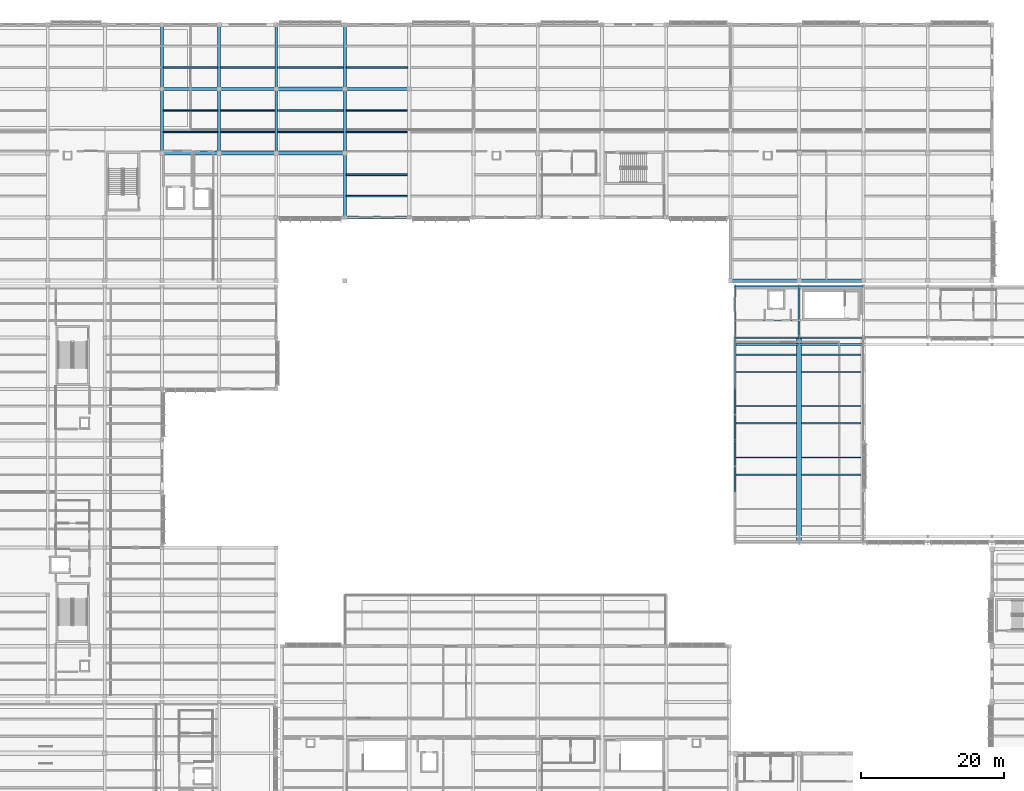
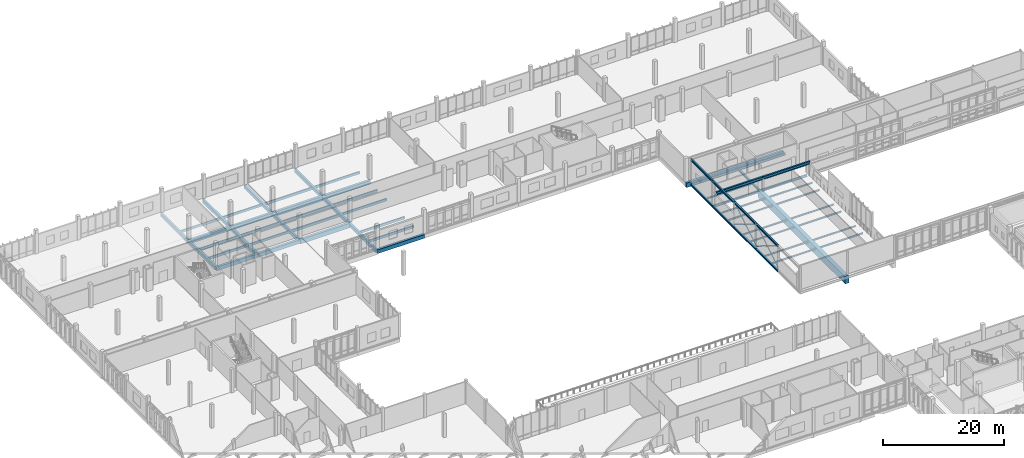
# One storey, part 80 of 177: 62 beams, 6 members.
"""IFC4 building model written with IfcOpenShell, lengths in metres."""

from ifc_helpers import new_model, si_unit, direction, frame, origin, origin_2d, place, context, subcontext, project, spatial, rectangle, hollow_circle, i_section, extrude, material, material_profile, profile_set, type_object, element, save


model = new_model("IFC4")

# Units and contexts
model_context = context("Model", 3, precision=1e-05, world=origin(), true_north=direction((0.0, 1.0)))
body_context = subcontext(model_context, "Body", "Model", "MODEL_VIEW")
ifc_project = project(units=[si_unit("LENGTHUNIT", "METRE"), si_unit("AREAUNIT", "SQUARE_METRE"), si_unit("VOLUMEUNIT", "CUBIC_METRE"), si_unit("PLANEANGLEUNIT", "RADIAN"), si_unit("MASSUNIT", "GRAM", prefix="KILO")], contexts=[model_context])

# Site, building, storey
site_placement = place(None, origin())
site = spatial("IfcSite", under=ifc_project, at=site_placement, CompositionType="ELEMENT")
building_placement = place(site_placement, origin())
building = spatial("IfcBuilding", under=site, at=building_placement, Name="Chiffa Square Polytechnic", CompositionType="ELEMENT")
storey_placement = place(building_placement, frame((0.0, 0.0, 4.800048828125)))
storey = spatial("IfcBuildingStorey", under=building, at=storey_placement, Name="L01", CompositionType="ELEMENT", Elevation=4.800048828125)

# Beams
ifc_material_1 = material(Name="Concrete C35/45", Category="concrete")
ifc_material_profile_1 = material_profile(ifc_material_1, rectangle(XDim=0.39990234375, YDim=0.64990234375, at=origin_2d()), Name="RC 400x650")
ifc_profile_set_1 = profile_set([ifc_material_profile_1], Name="Concrete C35/45")
beam_type_1 = type_object("IfcBeamType", Name="BM-RC-400X650", PredefinedType="BEAM", material=ifc_profile_set_1)
for number, where, z_axis, x_axis, name in (
    (1, (32.0, 112.800048828125, -0.60498046875), (0.0, 1.0, 0.0), (-1.0, 0.0, 0.0), "Primary floor girder BM-V5-L01-Y-0320-1128"),
    (2, (32.0, 121.800048828125, -0.60498046875), (0.0, 1.0, 0.0), (-1.0, 0.0, 0.0), "Primary floor girder BM-V5-L01-Y-0320-1218"),
    (3, (40.0, 112.800048828125, -0.60498046875), (0.0, 1.0, 0.0), (-1.0, 0.0, 0.0), "Primary floor girder BM-V5-L01-Y-0400-1128"),
    (4, (40.0, 121.800048828125, -0.60498046875), (0.0, 1.0, 0.0), (-1.0, 0.0, 0.0), "Primary floor girder BM-V5-L01-Y-0400-1218"),
    (5, (48.0, 112.800048828125, -0.60498046875), (0.0, 1.0, 0.0), (-1.0, 0.0, 0.0), "Primary floor girder BM-V5-L01-Y-0480-1128"),
    (6, (48.0, 121.800048828125, -0.60498046875), (0.0, 1.0, 0.0), (-1.0, 0.0, 0.0), "Primary floor girder BM-V5-L01-Y-0480-1218"),
    (7, (57.60009765625, 103.800048828125, -0.60498046875), (0.0, 1.0, 0.0), (-1.0, 0.0, 0.0), "Primary floor girder BM-V5-L01-Y-0576-1038"),
    (8, (57.60009765625, 112.800048828125, -0.60498046875), (0.0, 1.0, 0.0), (-1.0, 0.0, 0.0), "Primary floor girder BM-V5-L01-Y-0576-1128"),
    (9, (57.60009765625, 121.800048828125, -0.60498046875), (0.0, 1.0, 0.0), (-1.0, 0.0, 0.0), "Primary floor girder BM-V5-L01-Y-0576-1218"),
):
    element("IfcBeam", number, at=place(storey_placement, frame(where, z_axis=z_axis, x_axis=x_axis)), inside=storey, type_object=beam_type_1, Name=name, PredefinedType="BEAM", context=body_context, shape_type="SweptSolid", body=[
        extrude(rectangle(XDim=0.39990234375, YDim=0.64990234375, at=origin_2d()), origin(), (0.0, 0.0, 1.0), 9.0),
    ])
ifc_material_profile_2 = material_profile(ifc_material_1, rectangle(XDim=0.449951171875, YDim=0.75, at=origin_2d()), Name="RC 450x750")
ifc_profile_set_2 = profile_set([ifc_material_profile_2], Name="Concrete C35/45")
beam_type_2 = type_object("IfcBeamType", Name="BM-RC-450X750", PredefinedType="BEAM", material=ifc_profile_set_2)
for number, where, z_axis, x_axis, name in (
    (10, (121.199951171875, 94.949951171875, -0.655029296875), (1.0, 0.0, 0.0), (0.0, 1.0, 0.0), "Primary floor girder BM-V5-L01-X-1212-0950"),
    (11, (57.60009765625, 103.800048828125, -0.655029296875), (1.0, 0.0, 0.0), (0.0, 1.0, 0.0), "Primary floor girder BM-V5-L01-X-0576-1038"),
):
    element("IfcBeam", number, at=place(storey_placement, frame(where, z_axis=z_axis, x_axis=x_axis)), inside=storey, type_object=beam_type_2, Name=name, PredefinedType="BEAM", context=body_context, shape_type="SweptSolid", body=[
        extrude(rectangle(XDim=0.449951171875, YDim=0.75, at=origin_2d()), origin(), (0.0, 0.0, 1.0), 9.0),
    ])
for number, where, z_axis, x_axis, name in (
    (12, (32.0, 112.800048828125, -0.655029296875), (1.0, 0.0, 0.0), (0.0, 1.0, 0.0), "Primary floor girder BM-V5-L01-X-0320-1128"),
    (13, (40.0, 112.800048828125, -0.655029296875), (1.0, 0.0, 0.0), (0.0, 1.0, 0.0), "Primary floor girder BM-V5-L01-X-0400-1128"),
    (14, (32.0, 121.800048828125, -0.655029296875), (1.0, 0.0, 0.0), (0.0, 1.0, 0.0), "Primary floor girder BM-V5-L01-X-0320-1218"),
    (15, (40.0, 121.800048828125, -0.655029296875), (1.0, 0.0, 0.0), (0.0, 1.0, 0.0), "Primary floor girder BM-V5-L01-X-0400-1218"),
):
    element("IfcBeam", number, at=place(storey_placement, frame(where, z_axis=z_axis, x_axis=x_axis)), inside=storey, type_object=beam_type_2, Name=name, PredefinedType="BEAM", context=body_context, shape_type="SweptSolid", body=[
        extrude(rectangle(XDim=0.449951171875, YDim=0.75, at=origin_2d()), origin(), (0.0, 0.0, 1.0), 8.0),
    ])
beam_1_placement = place(storey_placement, frame((57.60009765625, 121.800048828125, -0.655029296875), z_axis=(1.0, 0.0, 0.0), x_axis=(0.0, 1.0, 0.0)))
element("IfcBeam", 16, at=beam_1_placement, inside=storey, type_object=beam_type_2, Name="Primary floor girder BM-V5-L01-X-0576-1218", PredefinedType="BEAM", context=body_context, shape_type="SweptSolid", body=[
    extrude(rectangle(XDim=0.449951171875, YDim=0.75, at=origin_2d()), origin(), (0.0, 0.0, 1.0), 9.0),
])
ifc_material_2 = material(Name="Concrete C40/50", Category="concrete")
ifc_material_profile_3 = material_profile(ifc_material_2, rectangle(XDim=0.5, YDim=0.89990234375, at=origin_2d()), Name="RC 500x900")
ifc_profile_set_3 = profile_set([ifc_material_profile_3], Name="Concrete C40/50")
beam_type_3 = type_object("IfcBeamType", Name="BM-RC-500X900", PredefinedType="BEAM", material=ifc_profile_set_3)
beam_2_placement = place(storey_placement, frame((111.60009765625, 94.949951171875, -0.72998046875), z_axis=(1.0, 0.0, 0.0), x_axis=(0.0, 1.0, 0.0)))
element("IfcBeam", 17, at=beam_2_placement, inside=storey, type_object=beam_type_3, Name="Primary floor girder BM-V5-L01-X-1116-0950", PredefinedType="BEAM", context=body_context, shape_type="SweptSolid", body=[
    extrude(rectangle(XDim=0.5, YDim=0.89990234375, at=origin_2d()), origin(), (0.0, 0.0, 1.0), 9.599853515625),
])
for number, where, z_axis, x_axis, name in (
    (18, (48.0, 112.800048828125, -0.72998046875), (1.0, 0.0, 0.0), (0.0, 1.0, 0.0), "Primary floor girder BM-V5-L01-X-0480-1128"),
    (19, (48.0, 121.800048828125, -0.72998046875), (1.0, 0.0, 0.0), (0.0, 1.0, 0.0), "Primary floor girder BM-V5-L01-X-0480-1218"),
):
    element("IfcBeam", number, at=place(storey_placement, frame(where, z_axis=z_axis, x_axis=x_axis)), inside=storey, type_object=beam_type_3, Name=name, PredefinedType="BEAM", context=body_context, shape_type="SweptSolid", body=[
        extrude(rectangle(XDim=0.5, YDim=0.89990234375, at=origin_2d()), origin(), (0.0, 0.0, 1.0), 9.60009765625),
    ])
ifc_material_profile_4 = material_profile(ifc_material_2, rectangle(XDim=0.699951171875, YDim=1.5, at=origin_2d()), Name="RC 700x1500")
ifc_profile_set_4 = profile_set([ifc_material_profile_4], Name="Concrete C40/50")
beam_type_4 = type_object("IfcBeamType", Name="BM-RC-700X1500", PredefinedType="BEAM", material=ifc_profile_set_4)
beam_3_placement = place(storey_placement, frame((121.199951171875, 58.199951171875, -1.030029296875), z_axis=(0.0, 1.0, 0.0), x_axis=(-1.0, 0.0, 0.0)))
element("IfcBeam", 20, at=beam_3_placement, inside=storey, type_object=beam_type_4, Name="Primary floor girder BM-V2-L01-Y-1212-0582", PredefinedType="BEAM", context=body_context, shape_type="SweptSolid", body=[
    extrude(rectangle(XDim=0.699951171875, YDim=1.5, at=origin_2d()), origin(), (0.0, 0.0, 1.0), 28.800048828125),
])
ifc_material_3 = material(Name="Steel S355", Category="steel")
ifc_material_profile_5 = material_profile(ifc_material_3, i_section(OverallWidth=0.300048828125, OverallDepth=0.389892578125, WebThickness=0.010986328125, FlangeThickness=0.01904296875, FilletRadius=0.027099609375, at=origin_2d()), Name="HEA 400")
ifc_profile_set_5 = profile_set([ifc_material_profile_5], Name="Steel S355")
beam_type_5 = type_object("IfcBeamType", Name="BM-STL-HEA400", PredefinedType="BEAM", material=ifc_profile_set_5)
beam_4_placement = place(storey_placement, frame((112.199951171875, 65.39990234375, -0.47509765625), z_axis=(0.0, 1.0, 0.0), x_axis=(-1.0, 0.0, 0.0)))
element("IfcBeam", 21, at=beam_4_placement, inside=storey, type_object=beam_type_5, Name="Primary floor girder BM-V2-L01-Y-1122-0654", PredefinedType="BEAM", context=body_context, shape_type="SweptSolid", body=[
    extrude(i_section(OverallWidth=0.300048828125, OverallDepth=0.389892578125, WebThickness=0.010986328125, FlangeThickness=0.01904296875, FilletRadius=0.027099609375, at=origin_2d()), origin(), (0.0, 0.0, 1.0), 7.2001953125),
])
for number, where, z_axis, x_axis, name in (
    (22, (112.199951171875, 72.60009765625, -0.47509765625), (0.0, 1.0, 0.0), (-1.0, 0.0, 0.0), "Primary floor girder BM-V2-L01-Y-1122-0726"),
    (23, (112.199951171875, 79.800048828125, -0.47509765625), (0.0, 1.0, 0.0), (-1.0, 0.0, 0.0), "Primary floor girder BM-V2-L01-Y-1122-0798"),
    (24, (112.199951171875, 87.0, -0.47509765625), (0.0, 1.0, 0.0), (-1.0, 0.0, 0.0), "Primary floor girder BM-V2-L01-Y-1122-0870"),
    (25, (121.199951171875, 87.0, -0.47509765625), (0.0, 1.0, 0.0), (-1.0, 0.0, 0.0), "Primary floor girder BM-V2-L01-Y-1212-0870"),
):
    element("IfcBeam", number, at=place(storey_placement, frame(where, z_axis=z_axis, x_axis=x_axis)), inside=storey, type_object=beam_type_5, Name=name, PredefinedType="BEAM", context=body_context, shape_type="SweptSolid", body=[
        extrude(i_section(OverallWidth=0.300048828125, OverallDepth=0.389892578125, WebThickness=0.010986328125, FlangeThickness=0.01904296875, FilletRadius=0.027099609375, at=origin_2d()), origin(), (0.0, 0.0, 1.0), 7.199951171875),
    ])
beam_5_placement = place(storey_placement, frame((112.199951171875, 65.39990234375, 4.60498046875), z_axis=(0.0, 1.0, 0.0), x_axis=(-1.0, 0.0, 0.0)))
element("IfcBeam", 26, at=beam_5_placement, inside=storey, type_object=beam_type_5, Name="Workshop west gable tie girder BM-V2-GBLTIE-W2", PredefinedType="BEAM", context=body_context, shape_type="SweptSolid", body=[
    extrude(i_section(OverallWidth=0.300048828125, OverallDepth=0.389892578125, WebThickness=0.010986328125, FlangeThickness=0.01904296875, FilletRadius=0.027099609375, at=origin_2d()), origin(), (0.0, 0.0, 1.0), 7.2001953125),
])
for number, where, z_axis, x_axis, name in (
    (27, (112.199951171875, 72.60009765625, 4.60498046875), (0.0, 1.0, 0.0), (-1.0, 0.0, 0.0), "Workshop west gable tie girder BM-V2-GBLTIE-W3"),
    (28, (112.199951171875, 79.800048828125, 4.60498046875), (0.0, 1.0, 0.0), (-1.0, 0.0, 0.0), "Workshop west gable tie girder BM-V2-GBLTIE-W4"),
    (29, (112.199951171875, 87.0, 4.60498046875), (0.0, 1.0, 0.0), (-1.0, 0.0, 0.0), "Workshop west shed gable tie girder BM-V2-GBLTIE-W5"),
):
    element("IfcBeam", number, at=place(storey_placement, frame(where, z_axis=z_axis, x_axis=x_axis)), inside=storey, type_object=beam_type_5, Name=name, PredefinedType="BEAM", context=body_context, shape_type="SweptSolid", body=[
        extrude(i_section(OverallWidth=0.300048828125, OverallDepth=0.389892578125, WebThickness=0.010986328125, FlangeThickness=0.01904296875, FilletRadius=0.027099609375, at=origin_2d()), origin(), (0.0, 0.0, 1.0), 7.199951171875),
    ])
ifc_material_profile_6 = material_profile(ifc_material_3, i_section(OverallWidth=0.199951171875, OverallDepth=0.5, WebThickness=0.01025390625, FlangeThickness=0.01611328125, FilletRadius=0.02099609375, at=origin_2d()), Name="IPE 500")
ifc_profile_set_6 = profile_set([ifc_material_profile_6], Name="Steel S355")
beam_type_6 = type_object("IfcBeamType", Name="BM-STL-IPE500", PredefinedType="BEAM", material=ifc_profile_set_6)
for number, where, z_axis, x_axis, name in (
    (30, (112.199951171875, 87.0, -0.530029296875), (1.0, 0.0, 0.0), (0.0, 1.0, 0.0), "Primary floor girder BM-V2-L01-X-1122-0870"),
    (31, (121.199951171875, 87.0, -0.530029296875), (1.0, 0.0, 0.0), (0.0, 1.0, 0.0), "Primary floor girder BM-V2-L01-X-1212-0870"),
    (32, (112.199951171875, 94.199951171875, -0.530029296875), (1.0, 0.0, 0.0), (0.0, 1.0, 0.0), "Primary floor girder BM-V2-L01-X-1122-0942"),
    (33, (121.199951171875, 94.199951171875, -0.530029296875), (1.0, 0.0, 0.0), (0.0, 1.0, 0.0), "Primary floor girder BM-V2-L01-X-1212-0942"),
):
    element("IfcBeam", number, at=place(storey_placement, frame(where, z_axis=z_axis, x_axis=x_axis)), inside=storey, type_object=beam_type_6, Name=name, PredefinedType="BEAM", context=body_context, shape_type="SweptSolid", body=[
        extrude(i_section(OverallWidth=0.199951171875, OverallDepth=0.5, WebThickness=0.01025390625, FlangeThickness=0.01611328125, FilletRadius=0.02099609375, at=origin_2d()), origin(), (0.0, 0.0, 1.0), 9.0),
    ])
ifc_material_profile_7 = material_profile(ifc_material_3, i_section(OverallWidth=0.300048828125, OverallDepth=0.60009765625, WebThickness=0.015380859375, FlangeThickness=0.030029296875, FilletRadius=0.027099609375, at=origin_2d()), Name="HEB 600")
ifc_profile_set_7 = profile_set([ifc_material_profile_7], Name="Steel S355")
beam_type_7 = type_object("IfcBeamType", Name="CG-STL-HEB600", PredefinedType="USERDEFINED", material=ifc_profile_set_7)
for number, where, z_axis, x_axis, name in (
    (34, (112.199951171875, 86.050048828125, 2.699951171875), (1.0, 0.0, 0.0), (0.0, 1.0, 0.0), "Bridge crane runway girder CG-V2-L01-N01"),
    (35, (121.199951171875, 86.050048828125, 2.699951171875), (1.0, 0.0, 0.0), (0.0, 1.0, 0.0), "Bridge crane runway girder CG-V2-L01-N02"),
):
    element("IfcBeam", number, at=place(storey_placement, frame(where, z_axis=z_axis, x_axis=x_axis)), inside=storey, type_object=beam_type_7, Name=name, ObjectType="CRANE GIRDER", PredefinedType="USERDEFINED", context=body_context, shape_type="SweptSolid", body=[
        extrude(i_section(OverallWidth=0.300048828125, OverallDepth=0.60009765625, WebThickness=0.015380859375, FlangeThickness=0.030029296875, FilletRadius=0.027099609375, at=origin_2d()), origin(), (0.0, 0.0, 1.0), 9.0),
    ])
ifc_material_4 = material(Name="Glulam GL28h", Category="wood")
ifc_material_profile_8 = material_profile(ifc_material_4, rectangle(XDim=0.219970703125, YDim=0.47998046875, at=origin_2d()), Name="GL28h 220x480")
ifc_profile_set_8 = profile_set([ifc_material_profile_8], Name="Glulam GL28h")
beam_type_8 = type_object("IfcBeamType", Name="JST-GL-220X480", PredefinedType="JOIST", material=ifc_profile_set_8)
for number, where, z_axis, x_axis, name in (
    (36, (32.197998046875, 115.800048828125, -0.52001953125), (1.0, 0.0, 0.0), (0.0, 1.0, 0.0), "Secondary floor joist JST-V5-L01-0320-1158"),
    (37, (32.197998046875, 118.800048828125, -0.52001953125), (1.0, 0.0, 0.0), (0.0, 1.0, 0.0), "Secondary floor joist JST-V5-L01-0320-1188"),
    (38, (32.197998046875, 124.800048828125, -0.52001953125), (1.0, 0.0, 0.0), (0.0, 1.0, 0.0), "Secondary floor joist JST-V5-L01-0320-1248"),
    (39, (40.197998046875, 115.800048828125, -0.52001953125), (1.0, 0.0, 0.0), (0.0, 1.0, 0.0), "Secondary floor joist JST-V5-L01-0400-1158"),
    (40, (40.197998046875, 118.800048828125, -0.52001953125), (1.0, 0.0, 0.0), (0.0, 1.0, 0.0), "Secondary floor joist JST-V5-L01-0400-1188"),
    (41, (40.197998046875, 124.800048828125, -0.52001953125), (1.0, 0.0, 0.0), (0.0, 1.0, 0.0), "Secondary floor joist JST-V5-L01-0400-1248"),
):
    element("IfcBeam", number, at=place(storey_placement, frame(where, z_axis=z_axis, x_axis=x_axis)), inside=storey, type_object=beam_type_8, Name=name, PredefinedType="JOIST", context=body_context, shape_type="SweptSolid", body=[
        extrude(rectangle(XDim=0.219970703125, YDim=0.47998046875, at=origin_2d()), origin(), (0.0, 0.0, 1.0), 7.60400390625),
    ])
for number, where, z_axis, x_axis, name in (
    (42, (57.798095703125, 106.800048828125, -0.52001953125), (1.0, 0.0, 0.0), (0.0, 1.0, 0.0), "Secondary floor joist JST-V5-L01-0576-1068"),
    (43, (57.798095703125, 109.800048828125, -0.52001953125), (1.0, 0.0, 0.0), (0.0, 1.0, 0.0), "Secondary floor joist JST-V5-L01-0576-1098"),
    (44, (57.798095703125, 115.800048828125, -0.52001953125), (1.0, 0.0, 0.0), (0.0, 1.0, 0.0), "Secondary floor joist JST-V5-L01-0576-1158"),
    (45, (57.798095703125, 118.800048828125, -0.52001953125), (1.0, 0.0, 0.0), (0.0, 1.0, 0.0), "Secondary floor joist JST-V5-L01-0576-1188"),
):
    element("IfcBeam", number, at=place(storey_placement, frame(where, z_axis=z_axis, x_axis=x_axis)), inside=storey, type_object=beam_type_8, Name=name, PredefinedType="JOIST", context=body_context, shape_type="SweptSolid", body=[
        extrude(rectangle(XDim=0.219970703125, YDim=0.47998046875, at=origin_2d()), origin(), (0.0, 0.0, 1.0), 8.553955078125),
    ])
beam_6_placement = place(storey_placement, frame((57.798095703125, 124.800048828125, -0.52001953125), z_axis=(1.0, 0.0, 0.0), x_axis=(0.0, 1.0, 0.0)))
element("IfcBeam", 46, at=beam_6_placement, inside=storey, type_object=beam_type_8, Name="Secondary floor joist JST-V5-L01-0576-1248", PredefinedType="JOIST", context=body_context, shape_type="SweptSolid", body=[
    extrude(rectangle(XDim=0.219970703125, YDim=0.47998046875, at=origin_2d()), origin(), (0.0, 0.0, 1.0), 8.60400390625),
])
ifc_material_profile_9 = material_profile(ifc_material_4, rectangle(XDim=0.239990234375, YDim=0.52001953125, at=origin_2d()), Name="GL28h 240x520")
ifc_profile_set_9 = profile_set([ifc_material_profile_9], Name="Glulam GL28h")
beam_type_9 = type_object("IfcBeamType", Name="JST-GL-240X520", PredefinedType="JOIST", material=ifc_profile_set_9)
for number, where, z_axis, x_axis, name in (
    (47, (48.197998046875, 115.800048828125, -0.5400390625), (1.0, 0.0, 0.0), (0.0, 1.0, 0.0), "Secondary floor joist JST-V5-L01-0480-1158"),
    (48, (48.197998046875, 118.800048828125, -0.5400390625), (1.0, 0.0, 0.0), (0.0, 1.0, 0.0), "Secondary floor joist JST-V5-L01-0480-1188"),
    (49, (48.197998046875, 124.800048828125, -0.5400390625), (1.0, 0.0, 0.0), (0.0, 1.0, 0.0), "Secondary floor joist JST-V5-L01-0480-1248"),
):
    element("IfcBeam", number, at=place(storey_placement, frame(where, z_axis=z_axis, x_axis=x_axis)), inside=storey, type_object=beam_type_9, Name=name, PredefinedType="JOIST", context=body_context, shape_type="SweptSolid", body=[
        extrude(rectangle(XDim=0.239990234375, YDim=0.52001953125, at=origin_2d()), origin(), (0.0, 0.0, 1.0), 9.2041015625),
    ])
ifc_material_profile_10 = material_profile(ifc_material_3, i_section(OverallWidth=0.159912109375, OverallDepth=0.330078125, WebThickness=0.007568359375, FlangeThickness=0.011474609375, FilletRadius=0.01806640625, at=origin_2d()), Name="IPE 330")
ifc_profile_set_10 = profile_set([ifc_material_profile_10], Name="Steel S355")
beam_type_10 = type_object("IfcBeamType", Name="JST-STL-IPE330", PredefinedType="JOIST", material=ifc_profile_set_10)
for number, where, z_axis, x_axis, name in (
    (50, (112.347900390625, 67.800048828125, -0.445068359375), (1.0, 0.0, 0.0), (0.0, 1.0, 0.0), "Secondary floor joist JST-V2-L01-1122-0678"),
    (51, (112.347900390625, 70.199951171875, -0.445068359375), (1.0, 0.0, 0.0), (0.0, 1.0, 0.0), "Secondary floor joist JST-V2-L01-1122-0702"),
    (52, (112.347900390625, 75.0, -0.445068359375), (1.0, 0.0, 0.0), (0.0, 1.0, 0.0), "Secondary floor joist JST-V2-L01-1122-0750"),
    (53, (112.347900390625, 77.39990234375, -0.445068359375), (1.0, 0.0, 0.0), (0.0, 1.0, 0.0), "Secondary floor joist JST-V2-L01-1122-0774"),
    (54, (112.347900390625, 82.199951171875, -0.445068359375), (1.0, 0.0, 0.0), (0.0, 1.0, 0.0), "Secondary floor joist JST-V2-L01-1122-0822"),
    (55, (112.347900390625, 84.60009765625, -0.445068359375), (1.0, 0.0, 0.0), (0.0, 1.0, 0.0), "Secondary floor joist JST-V2-L01-1122-0846"),
):
    element("IfcBeam", number, at=place(storey_placement, frame(where, z_axis=z_axis, x_axis=x_axis)), inside=storey, type_object=beam_type_10, Name=name, PredefinedType="JOIST", context=body_context, shape_type="SweptSolid", body=[
        extrude(i_section(OverallWidth=0.159912109375, OverallDepth=0.330078125, WebThickness=0.007568359375, FlangeThickness=0.011474609375, FilletRadius=0.01806640625, at=origin_2d()), origin(), (0.0, 0.0, 1.0), 8.504150390625),
    ])
beam_7_placement = place(storey_placement, frame((112.347900390625, 89.39990234375, -0.445068359375), z_axis=(1.0, 0.0, 0.0), x_axis=(0.0, 1.0, 0.0)))
element("IfcBeam", 56, at=beam_7_placement, inside=storey, type_object=beam_type_10, Name="Secondary floor joist JST-V2-L01-1122-0894", PredefinedType="JOIST", context=body_context, shape_type="SweptSolid", body=[
    extrude(i_section(OverallWidth=0.159912109375, OverallDepth=0.330078125, WebThickness=0.007568359375, FlangeThickness=0.011474609375, FilletRadius=0.01806640625, at=origin_2d()), origin(), (0.0, 0.0, 1.0), 8.7041015625),
])
for number, where, z_axis, x_axis, name in (
    (57, (121.548095703125, 67.800048828125, -0.445068359375), (1.0, 0.0, 0.0), (0.0, 1.0, 0.0), "Secondary floor joist JST-V2-L01-1212-0678"),
    (58, (121.548095703125, 70.199951171875, -0.445068359375), (1.0, 0.0, 0.0), (0.0, 1.0, 0.0), "Secondary floor joist JST-V2-L01-1212-0702"),
    (59, (121.548095703125, 75.0, -0.445068359375), (1.0, 0.0, 0.0), (0.0, 1.0, 0.0), "Secondary floor joist JST-V2-L01-1212-0750"),
    (60, (121.548095703125, 77.39990234375, -0.445068359375), (1.0, 0.0, 0.0), (0.0, 1.0, 0.0), "Secondary floor joist JST-V2-L01-1212-0774"),
    (61, (121.548095703125, 82.199951171875, -0.445068359375), (1.0, 0.0, 0.0), (0.0, 1.0, 0.0), "Secondary floor joist JST-V2-L01-1212-0822"),
    (62, (121.548095703125, 84.60009765625, -0.445068359375), (1.0, 0.0, 0.0), (0.0, 1.0, 0.0), "Secondary floor joist JST-V2-L01-1212-0846"),
):
    element("IfcBeam", number, at=place(storey_placement, frame(where, z_axis=z_axis, x_axis=x_axis)), inside=storey, type_object=beam_type_10, Name=name, PredefinedType="JOIST", context=body_context, shape_type="SweptSolid", body=[
        extrude(i_section(OverallWidth=0.159912109375, OverallDepth=0.330078125, WebThickness=0.007568359375, FlangeThickness=0.011474609375, FilletRadius=0.01806640625, at=origin_2d()), origin(), (0.0, 0.0, 1.0), 8.303955078125),
    ])

# Members
ifc_material_profile_11 = material_profile(ifc_material_3, hollow_circle(Radius=0.084228515625, WallThickness=0.010009765625, at=origin_2d()), Name="CHS 168.3x10")
ifc_profile_set_11 = profile_set([ifc_material_profile_11], Name="Steel S355")
member_type = type_object("IfcMemberType", Name="MEM-BRC-CHS168", PredefinedType="BRACE", material=ifc_profile_set_11)
member_1_placement = place(storey_placement, frame((112.199951171875, 65.39990234375, 0.199951171875), z_axis=(0.0, 0.853293276627, 0.521431284124), x_axis=(-1.0, 0.0, 0.0)))
element("IfcMember", 63, at=member_1_placement, inside=storey, type_object=member_type, Name="Workshop continuous wall X-brace BR-V2-WL-L01-1A", PredefinedType="BRACE", context=body_context, shape_type="SweptSolid", body=[
    extrude(hollow_circle(Radius=0.084228515625, WallThickness=0.010009765625, at=origin_2d()), origin(), (0.0, 0.0, 1.0), 8.438232421875),
])
for number, where, z_axis, x_axis, name in (
    (64, (112.199951171875, 65.39990234375, 4.599853515625), (0.0, 0.853293276627, -0.521431284124), (-1.0, 0.0, 0.0), "Workshop split wall X-brace segment BR-V2-WL-L01-1B1"),
    (65, (112.199951171875, 69.0, 2.39990234375), (0.0, 0.853293276627, -0.521431284124), (-1.0, 0.0, 0.0), "Workshop split wall X-brace segment BR-V2-WL-L01-1B2"),
):
    element("IfcMember", number, at=place(storey_placement, frame(where, z_axis=z_axis, x_axis=x_axis)), inside=storey, type_object=member_type, Name=name, PredefinedType="BRACE", context=body_context, shape_type="SweptSolid", body=[
        extrude(hollow_circle(Radius=0.084228515625, WallThickness=0.010009765625, at=origin_2d()), origin(), (0.0, 0.0, 1.0), 4.218994140625),
    ])
member_2_placement = place(storey_placement, frame((112.199951171875, 72.60009765625, 0.199951171875), z_axis=(0.0, 0.853285409714, 0.521444157671), x_axis=(-1.0, 0.0, 0.0)))
element("IfcMember", 66, at=member_2_placement, inside=storey, type_object=member_type, Name="Workshop continuous wall X-brace BR-V2-WL-L01-2A", PredefinedType="BRACE", context=body_context, shape_type="SweptSolid", body=[
    extrude(hollow_circle(Radius=0.084228515625, WallThickness=0.010009765625, at=origin_2d()), origin(), (0.0, 0.0, 1.0), 8.43798828125),
])
member_3_placement = place(storey_placement, frame((112.199951171875, 72.60009765625, 4.599853515625), z_axis=(0.0, 0.853277542218, -0.521457031735), x_axis=(-1.0, 0.0, 0.0)))
element("IfcMember", 67, at=member_3_placement, inside=storey, type_object=member_type, Name="Workshop split wall X-brace segment BR-V2-WL-L01-2B1", PredefinedType="BRACE", context=body_context, shape_type="SweptSolid", body=[
    extrude(hollow_circle(Radius=0.084228515625, WallThickness=0.010009765625, at=origin_2d()), origin(), (0.0, 0.0, 1.0), 4.21875),
])
member_4_placement = place(storey_placement, frame((112.199951171875, 76.199951171875, 2.39990234375), z_axis=(0.0, 0.853293276627, -0.521431284124), x_axis=(-1.0, 0.0, 0.0)))
element("IfcMember", 68, at=member_4_placement, inside=storey, type_object=member_type, Name="Workshop split wall X-brace segment BR-V2-WL-L01-2B2", PredefinedType="BRACE", context=body_context, shape_type="SweptSolid", body=[
    extrude(hollow_circle(Radius=0.084228515625, WallThickness=0.010009765625, at=origin_2d()), origin(), (0.0, 0.0, 1.0), 4.218994140625),
])

save(model, "model.ifc")
